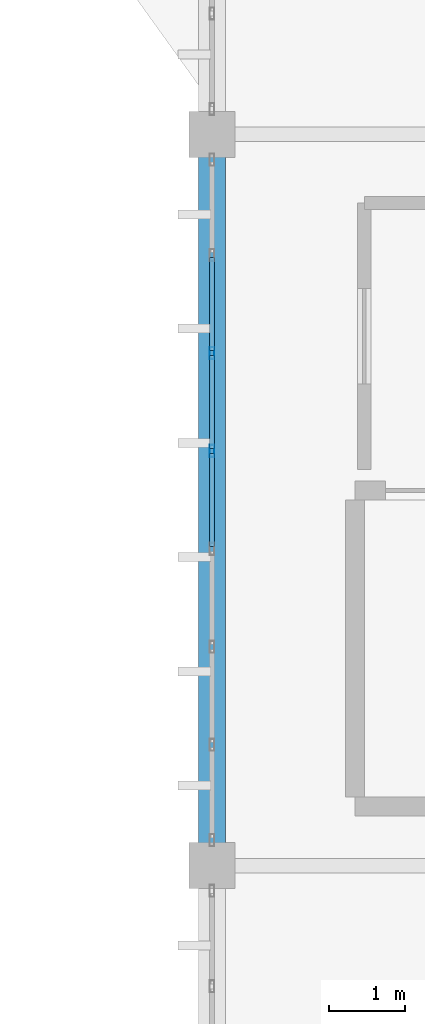
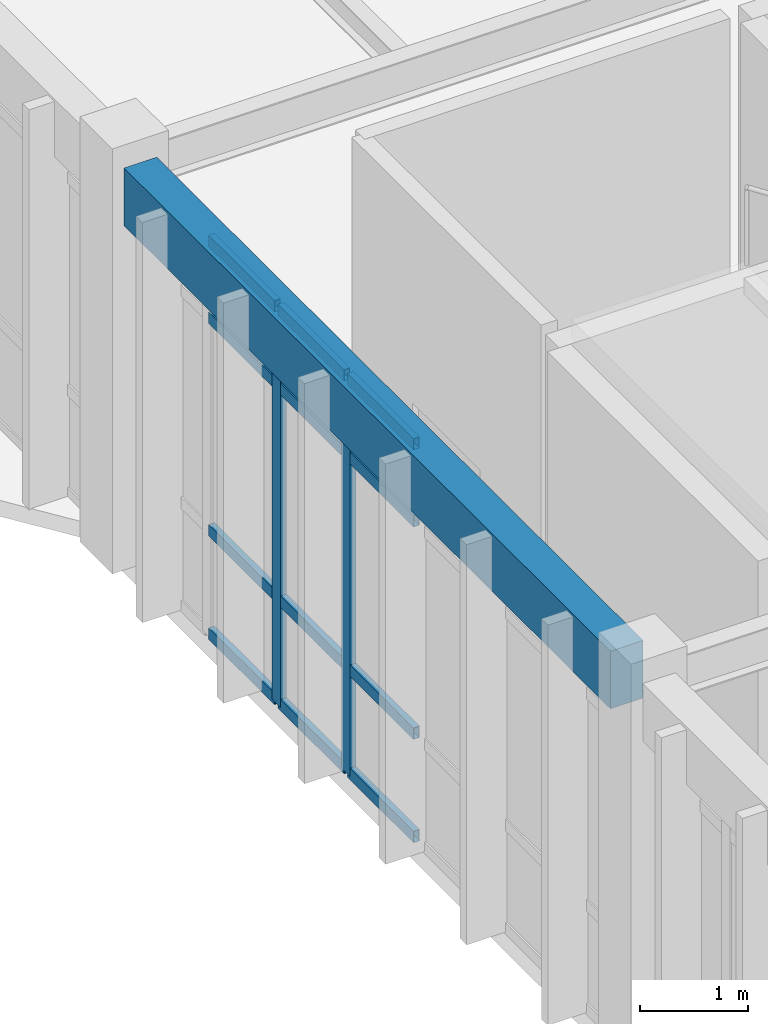
# One storey, part 144 of 236: 14 members, 1 beam, 1 element without a shape of its own.
"""IFC4 building model written with IfcOpenShell, lengths in metres."""

import ifcopenshell
import ifcopenshell.guid

model = None  # the IFC model being written
_history = None  # IfcOwnerHistory: only IFC2X3 demands one
_inside = {}  # id of a spatial element -> (the spatial element, [elements in it])
_under = {}  # id of a project, library or spatial element -> (it, [spatial elements below it])
_declared = {}  # id of a project -> (the project, [libraries it declares])
_typed = {}  # id of a type object -> (the type object, [elements of that type])
_made_of = {}  # id of a material, layer set ... -> (it, [elements and type objects made of it])


def new_model(schema):
    """Start an empty IFC model of exactly this schema.

    Asked for "IFC4X3", IfcOpenShell would pick the latest addendum, in which some entities
    have other attributes; the version numbers below select the first issue.
    IFC2X3 requires an IfcOwnerHistory on every rooted entity: one is made here for all.
    """
    global model, _history
    if schema == "IFC4X3":
        model = ifcopenshell.file(schema_version=(4, 3, 0, 0))
    else:
        model = ifcopenshell.file(schema=schema)
    _inside.clear()
    _under.clear()
    _declared.clear()
    _typed.clear()
    _made_of.clear()
    _history = None
    if model.schema == "IFC2X3":
        org = make("IfcOrganization", Name="unknown")
        user = make(
            "IfcPersonAndOrganization",
            ThePerson=make("IfcPerson", FamilyName="unknown"),
            TheOrganization=org,
        )
        app = make(
            "IfcApplication",
            ApplicationDeveloper=org,
            Version="unknown",
            ApplicationFullName="unknown",
            ApplicationIdentifier="unknown",
        )
        _history = make(
            "IfcOwnerHistory",
            OwningUser=user,
            OwningApplication=app,
            ChangeAction="ADDED",
            CreationDate=0,
        )
    return model


def make(cls, **values):
    """One entity of the class cls with the attributes given. An attribute that is None is left unset."""
    return model.create_entity(
        cls, **{name: value for name, value in values.items() if value is not None}
    )


def rooted(cls, **values):
    """An entity with a GlobalId (a new one), such as an element, a storey or a relation."""
    return make(cls, GlobalId=ifcopenshell.guid.new(), OwnerHistory=_history, **values)


def si_unit(unit_type, name, prefix=None):
    """IfcSIUnit, for example si_unit("LENGTHUNIT", "METRE", prefix="MILLI")."""
    return make("IfcSIUnit", UnitType=unit_type, Prefix=prefix, Name=name)


def assignment(units):
    """IfcUnitAssignment: the units of a project."""
    return None if units is None else make("IfcUnitAssignment", Units=units)


def point(xyz):
    """IfcCartesianPoint."""
    return None if xyz is None else make("IfcCartesianPoint", Coordinates=xyz)


def direction(xyz):
    """IfcDirection."""
    return None if xyz is None else make("IfcDirection", DirectionRatios=xyz)


def frame(location, z_axis=None, x_axis=None):
    """IfcAxis2Placement3D, a coordinate frame: its origin and axes. An axis left out is left unset."""
    return make(
        "IfcAxis2Placement3D",
        Location=point(location),
        Axis=direction(z_axis),
        RefDirection=direction(x_axis),
    )


def frame_2d(location, x_axis=None):
    """IfcAxis2Placement2D, a coordinate frame in the plane: its origin and x axis."""
    return make(
        "IfcAxis2Placement2D", Location=point(location), RefDirection=direction(x_axis)
    )


def origin():
    """The frame at (0, 0, 0) with its axes left unset."""
    return frame((0.0, 0.0, 0.0))


def origin_2d():
    """The frame at (0, 0) in the plane with its x axis left unset."""
    return frame_2d((0.0, 0.0))


def place(relative_to, where):
    """IfcLocalPlacement: puts the frame where relative to a parent placement (None: the world)."""
    return make(
        "IfcLocalPlacement", PlacementRelTo=relative_to, RelativePlacement=where
    )


def context(
    kind, dimensions, precision=None, world=None, true_north=None, identifier=None
):
    """IfcGeometricRepresentationContext, for example the 3D "Model" context."""
    return make(
        "IfcGeometricRepresentationContext",
        ContextIdentifier=identifier,
        ContextType=kind,
        CoordinateSpaceDimension=dimensions,
        Precision=precision,
        WorldCoordinateSystem=world,
        TrueNorth=true_north,
    )


def subcontext(parent, identifier, kind, view, scale=None):
    """IfcGeometricRepresentationSubContext, for example "Body" below "Model"."""
    return make(
        "IfcGeometricRepresentationSubContext",
        ContextIdentifier=identifier,
        ContextType=kind,
        ParentContext=parent,
        TargetScale=scale,
        TargetView=view,
    )


def project(units=None, contexts=None):
    """IfcProject with its units and contexts."""
    return rooted(
        "IfcProject",
        Name="project",
        RepresentationContexts=contexts,
        UnitsInContext=assignment(units),
    )


def spatial(cls, under=None, at=None, **own):
    """A site, building, storey or space (cls), placed at a placement, below another one or the project."""
    s = rooted(cls, ObjectPlacement=at, **own)
    if under is not None:
        _under.setdefault(under.id(), (under, []))[1].append(s)
    return s


def profile(cls, at=None, kind="AREA", **sizes):
    """A parametric profile (cls). Its sizes go by their IFC names, for example OverallWidth=200.0."""
    return make(cls, ProfileType=kind, Position=at, **sizes)


def rectangle(**sizes):
    """IfcRectangleProfileDef."""
    return profile("IfcRectangleProfileDef", **sizes)


def hollow_rectangle(**sizes):
    """IfcRectangleHollowProfileDef."""
    return profile("IfcRectangleHollowProfileDef", **sizes)


def extrude(swept, where, along, depth):
    """IfcExtrudedAreaSolid: the profile swept, set in the frame where, extruded along a direction by depth."""
    return make(
        "IfcExtrudedAreaSolid",
        SweptArea=swept,
        Position=where,
        ExtrudedDirection=direction(along),
        Depth=depth,
    )


def shape(context_of_items, identifier, shape_type, items):
    """IfcShapeRepresentation: the items that make up one representation, for example the "Body"."""
    return make(
        "IfcShapeRepresentation",
        ContextOfItems=context_of_items,
        RepresentationIdentifier=identifier,
        RepresentationType=shape_type,
        Items=items,
    )


def material(Name=None, Category=None):
    """IfcMaterial."""
    return make("IfcMaterial", Name=Name, Category=Category)


def layer(
    of_material, thickness, ventilated=None, Name=None, Category=None, Priority=None
):
    """IfcMaterialLayer: one layer of a wall or slab, of a material (None: an air gap)."""
    return make(
        "IfcMaterialLayer",
        Material=of_material,
        LayerThickness=thickness,
        IsVentilated=ventilated,
        Name=Name,
        Category=Category,
        Priority=Priority,
    )


def layer_set(layers, Name=None):
    """IfcMaterialLayerSet."""
    return make("IfcMaterialLayerSet", MaterialLayers=layers, LayerSetName=Name)


def material_profile(
    of_material, cross_section, Name=None, Category=None, Priority=None
):
    """IfcMaterialProfile: a cross section and its material."""
    return make(
        "IfcMaterialProfile",
        Name=Name,
        Material=of_material,
        Profile=cross_section,
        Priority=Priority,
        Category=Category,
    )


def profile_set(profiles, Name=None, composite=None):
    """IfcMaterialProfileSet."""
    return make(
        "IfcMaterialProfileSet",
        Name=Name,
        MaterialProfiles=profiles,
        CompositeProfile=composite,
    )


def made_of(thing, what):
    """Note that an element or type object is made of a material, layer set ...; save() writes the relation."""
    if what is not None:
        _made_of.setdefault(what.id(), (what, []))[1].append(thing)
    return thing


def type_object(cls, material=None, **own):
    """A type object (cls), such as IfcWallType, which elements share."""
    return made_of(rooted(cls, **own), material)


def element(
    cls,
    number,
    at=None,
    inside=None,
    cuts=None,
    type_object=None,
    material=None,
    context=None,
    identifier="Body",
    shape_type=None,
    held_by="IfcProductDefinitionShape",
    body=None,
    shapes=None,
    **own,
):
    """One element of the class cls, such as IfcWall. Its Tag is "e" and its number.

    at: its placement. inside: the storey or other place that contains it. cuts: it is an
    opening in that element (IfcRelVoidsElement). A single representation is given by context,
    identifier, shape_type and body (its items); several are given by shapes. held_by: the class
    of the entity that holds the representations. save() writes the other relations.
    """
    e = rooted(cls, Tag="e%d" % number, ObjectPlacement=at, **own)
    if body is not None:
        shapes = [shape(context, identifier, shape_type, body)]
    if shapes is not None:
        e.Representation = make(held_by, Representations=shapes)
    if inside is not None:
        _inside.setdefault(inside.id(), (inside, []))[1].append(e)
    if cuts is not None:
        rooted(
            "IfcRelVoidsElement", RelatingBuildingElement=cuts, RelatedOpeningElement=e
        )
    if type_object is not None:
        _typed.setdefault(type_object.id(), (type_object, []))[1].append(e)
    return made_of(e, material)


def aggregate(whole, parts):
    """IfcRelAggregates: a whole, such as a stair, and the parts it consists of."""
    return rooted("IfcRelAggregates", RelatingObject=whole, RelatedObjects=parts)


def save(model, path):
    """Write the relations noted so far, then the file.

    IfcRelAggregates (storeys below a building ...), IfcRelContainedInSpatialStructure (elements
    in a storey), IfcRelDefinesByType, IfcRelAssociatesMaterial and IfcRelDeclares: one each for
    every whole, place, type object, material and project.
    """
    for whole, parts in _under.values():
        aggregate(whole, parts)
    for where, things in _inside.values():
        rooted(
            "IfcRelContainedInSpatialStructure",
            RelatedElements=things,
            RelatingStructure=where,
        )
    for kind, things in _typed.values():
        rooted("IfcRelDefinesByType", RelatedObjects=things, RelatingType=kind)
    for what, things in _made_of.values():
        rooted("IfcRelAssociatesMaterial", RelatedObjects=things, RelatingMaterial=what)
    for by, libraries in _declared.values():
        rooted("IfcRelDeclares", RelatingContext=by, RelatedDefinitions=libraries)
    model.write(path)


model = new_model("IFC4")

# Units and contexts
model_context = context("Model", 3, precision=1e-05, world=origin(), true_north=direction((0.0, 1.0)))
body_context = subcontext(model_context, "Body", "Model", "MODEL_VIEW")
ifc_project = project(units=[si_unit("LENGTHUNIT", "METRE"), si_unit("AREAUNIT", "SQUARE_METRE"), si_unit("VOLUMEUNIT", "CUBIC_METRE"), si_unit("PLANEANGLEUNIT", "RADIAN"), si_unit("MASSUNIT", "GRAM", prefix="KILO")], contexts=[model_context])

# Site, building, storey
site_placement = place(None, origin())
site = spatial("IfcSite", under=ifc_project, at=site_placement, CompositionType="ELEMENT")
building_placement = place(site_placement, origin())
building = spatial("IfcBuilding", under=site, at=building_placement, Name="Pandanus Reach Market Hall", CompositionType="ELEMENT")
storey_placement = place(building_placement, frame((0.0, 0.0, 5.39990234375)))
storey = spatial("IfcBuildingStorey", under=building, at=storey_placement, Name="L01", CompositionType="ELEMENT", Elevation=5.39990234375)

# Beam
ifc_material_1 = material(Name="Concrete N40 (40 MPa)", Category="concrete")
ifc_material_profile_1 = material_profile(ifc_material_1, rectangle(XDim=0.35009765625, YDim=0.64990234375, at=origin_2d()), Name="RC350x650", Category="LoadBearing")
ifc_profile_set_1 = profile_set([ifc_material_profile_1], Name="Concrete N40 (40 MPa)")
beam_type = type_object("IfcBeamType", Name="BM-RC350-E", PredefinedType="SPANDREL", material=ifc_profile_set_1)
beam_placement = place(storey_placement, frame((144.0, 48.298095703125, 4.215087890625), z_axis=(0.0, 1.0, 0.0), x_axis=(-1.0, 0.0, 0.0)))
element("IfcBeam", 1, at=beam_placement, inside=storey, type_object=beam_type, Name="Framing beam BM-RC350-E L01.340", PredefinedType="SPANDREL", context=body_context, shape_type="SweptSolid", body=[
    extrude(rectangle(XDim=0.35009765625, YDim=0.64990234375, at=origin_2d()), origin(), (0.0, 0.0, 1.0), 9.00390625),
])

# Curtain wall, members
ifc_material_2 = material(Name="Bronze anodised aluminium and low-E glass", Category="aluminium")
ifc_layer = layer(ifc_material_2, 0.159912109375, Name="CW-29")
ifc_layer_set = layer_set([ifc_layer], Name="Bronze anodised aluminium and low-E glass")
curtain_wall_type = type_object("IfcCurtainWallType", Name="CW-29", PredefinedType="NOTDEFINED", material=ifc_layer_set)
curtain_wall_placement = place(storey_placement, origin())
curtain_wall = element("IfcCurtainWall", 2, at=curtain_wall_placement, inside=storey, type_object=curtain_wall_type, Name="Glazed curtain wall CW-29 CW-0095", PredefinedType="NOTDEFINED")
ifc_material_3 = material(Name="Bronze anodised aluminium", Category="aluminium")
ifc_material_profile_2 = material_profile(ifc_material_3, hollow_rectangle(XDim=0.06494140625, YDim=0.159912109375, WallThickness=0.00390625, at=origin_2d()), Name="ALU65x160", Category="LoadBearing")
ifc_profile_set_2 = profile_set([ifc_material_profile_2], Name="Bronze anodised aluminium")
member_type_1 = type_object("IfcMemberType", Name="CW-M1", PredefinedType="MULLION", material=ifc_profile_set_2)
member_1_placement = place(storey_placement, frame((144.0, 53.44287109375, 0.0), z_axis=(0.0, 0.0, 1.0), x_axis=(-1.0, 0.0, 0.0)))
member_1 = element("IfcMember", 3, at=member_1_placement, type_object=member_type_1, Name="CW-29 mullion 5", PredefinedType="MULLION", context=body_context, shape_type="SweptSolid", body=[
    extrude(hollow_rectangle(XDim=0.06494140625, YDim=0.159912109375, WallThickness=0.00390625, at=origin_2d()), origin(), (0.0, 0.0, 1.0), 4.5),
])
member_2_placement = place(storey_placement, frame((144.0, 54.728515625, 0.0), z_axis=(0.0, 0.0, 1.0), x_axis=(-1.0, 0.0, 0.0)))
member_2 = element("IfcMember", 4, at=member_2_placement, type_object=member_type_1, Name="CW-29 mullion 6", PredefinedType="MULLION", context=body_context, shape_type="SweptSolid", body=[
    extrude(hollow_rectangle(XDim=0.06494140625, YDim=0.159912109375, WallThickness=0.00390625, at=origin_2d()), origin(), (0.0, 0.0, 1.0), 4.5),
])
ifc_material_profile_3 = material_profile(ifc_material_3, hollow_rectangle(XDim=0.06494140625, YDim=0.1298828125, WallThickness=0.00390625, at=origin_2d()), Name="ALU65x130", Category="LoadBearing")
ifc_profile_set_3 = profile_set([ifc_material_profile_3], Name="Bronze anodised aluminium")
member_type_2 = type_object("IfcMemberType", Name="CW-T1", PredefinedType="USERDEFINED", material=ifc_profile_set_3)
member_3_placement = place(storey_placement, frame((144.0, 52.189697265625, 0.03271484375), z_axis=(0.0, 1.0, 0.0), x_axis=(-1.0, 0.0, 0.0)))
member_3 = element("IfcMember", 5, at=member_3_placement, type_object=member_type_2, Name="CW-29 transom 4.1", ObjectType="TRANSOM", PredefinedType="USERDEFINED", context=body_context, shape_type="SweptSolid", body=[
    extrude(hollow_rectangle(XDim=0.06494140625, YDim=0.1298828125, WallThickness=0.00390625, at=origin_2d()), origin(), (0.0, 0.0, 1.0), 1.220703125),
])
member_4_placement = place(storey_placement, frame((144.0, 52.189697265625, 1.2001953125), z_axis=(0.0, 1.0, 0.0), x_axis=(-1.0, 0.0, 0.0)))
member_4 = element("IfcMember", 6, at=member_4_placement, type_object=member_type_2, Name="CW-29 transom 4.2", ObjectType="TRANSOM", PredefinedType="USERDEFINED", context=body_context, shape_type="SweptSolid", body=[
    extrude(hollow_rectangle(XDim=0.06494140625, YDim=0.1298828125, WallThickness=0.00390625, at=origin_2d()), origin(), (0.0, 0.0, 1.0), 1.220703125),
])
member_5_placement = place(storey_placement, frame((144.0, 52.189697265625, 3.60009765625), z_axis=(0.0, 1.0, 0.0), x_axis=(-1.0, 0.0, 0.0)))
member_5 = element("IfcMember", 7, at=member_5_placement, type_object=member_type_2, Name="CW-29 transom 4.3", ObjectType="TRANSOM", PredefinedType="USERDEFINED", context=body_context, shape_type="SweptSolid", body=[
    extrude(hollow_rectangle(XDim=0.06494140625, YDim=0.1298828125, WallThickness=0.00390625, at=origin_2d()), origin(), (0.0, 0.0, 1.0), 1.220703125),
])
member_6_placement = place(storey_placement, frame((144.0, 52.189697265625, 4.467529296875), z_axis=(0.0, 1.0, 0.0), x_axis=(-1.0, 0.0, 0.0)))
member_6 = element("IfcMember", 8, at=member_6_placement, type_object=member_type_2, Name="CW-29 transom 4.4", ObjectType="TRANSOM", PredefinedType="USERDEFINED", context=body_context, shape_type="SweptSolid", body=[
    extrude(hollow_rectangle(XDim=0.06494140625, YDim=0.1298828125, WallThickness=0.00390625, at=origin_2d()), origin(), (0.0, 0.0, 1.0), 1.220703125),
])
member_7_placement = place(storey_placement, frame((144.0, 53.475341796875, 0.03271484375), z_axis=(0.0, 1.0, 0.0), x_axis=(-1.0, 0.0, 0.0)))
member_7 = element("IfcMember", 9, at=member_7_placement, type_object=member_type_2, Name="CW-29 transom 5.1", ObjectType="TRANSOM", PredefinedType="USERDEFINED", context=body_context, shape_type="SweptSolid", body=[
    extrude(hollow_rectangle(XDim=0.06494140625, YDim=0.1298828125, WallThickness=0.00390625, at=origin_2d()), origin(), (0.0, 0.0, 1.0), 1.220703125),
])
member_8_placement = place(storey_placement, frame((144.0, 53.475341796875, 1.2001953125), z_axis=(0.0, 1.0, 0.0), x_axis=(-1.0, 0.0, 0.0)))
member_8 = element("IfcMember", 10, at=member_8_placement, type_object=member_type_2, Name="CW-29 transom 5.2", ObjectType="TRANSOM", PredefinedType="USERDEFINED", context=body_context, shape_type="SweptSolid", body=[
    extrude(hollow_rectangle(XDim=0.06494140625, YDim=0.1298828125, WallThickness=0.00390625, at=origin_2d()), origin(), (0.0, 0.0, 1.0), 1.220703125),
])
member_9_placement = place(storey_placement, frame((144.0, 53.475341796875, 3.60009765625), z_axis=(0.0, 1.0, 0.0), x_axis=(-1.0, 0.0, 0.0)))
member_9 = element("IfcMember", 11, at=member_9_placement, type_object=member_type_2, Name="CW-29 transom 5.3", ObjectType="TRANSOM", PredefinedType="USERDEFINED", context=body_context, shape_type="SweptSolid", body=[
    extrude(hollow_rectangle(XDim=0.06494140625, YDim=0.1298828125, WallThickness=0.00390625, at=origin_2d()), origin(), (0.0, 0.0, 1.0), 1.220703125),
])
member_10_placement = place(storey_placement, frame((144.0, 53.475341796875, 4.467529296875), z_axis=(0.0, 1.0, 0.0), x_axis=(-1.0, 0.0, 0.0)))
member_10 = element("IfcMember", 12, at=member_10_placement, type_object=member_type_2, Name="CW-29 transom 5.4", ObjectType="TRANSOM", PredefinedType="USERDEFINED", context=body_context, shape_type="SweptSolid", body=[
    extrude(hollow_rectangle(XDim=0.06494140625, YDim=0.1298828125, WallThickness=0.00390625, at=origin_2d()), origin(), (0.0, 0.0, 1.0), 1.220703125),
])
member_11_placement = place(storey_placement, frame((144.0, 54.760986328125, 0.03271484375), z_axis=(0.0, 1.0, 0.0), x_axis=(-1.0, 0.0, 0.0)))
member_11 = element("IfcMember", 13, at=member_11_placement, type_object=member_type_2, Name="CW-29 transom 6.1", ObjectType="TRANSOM", PredefinedType="USERDEFINED", context=body_context, shape_type="SweptSolid", body=[
    extrude(hollow_rectangle(XDim=0.06494140625, YDim=0.1298828125, WallThickness=0.00390625, at=origin_2d()), origin(), (0.0, 0.0, 1.0), 1.220703125),
])
member_12_placement = place(storey_placement, frame((144.0, 54.760986328125, 1.2001953125), z_axis=(0.0, 1.0, 0.0), x_axis=(-1.0, 0.0, 0.0)))
member_12 = element("IfcMember", 14, at=member_12_placement, type_object=member_type_2, Name="CW-29 transom 6.2", ObjectType="TRANSOM", PredefinedType="USERDEFINED", context=body_context, shape_type="SweptSolid", body=[
    extrude(hollow_rectangle(XDim=0.06494140625, YDim=0.1298828125, WallThickness=0.00390625, at=origin_2d()), origin(), (0.0, 0.0, 1.0), 1.220703125),
])
member_13_placement = place(storey_placement, frame((144.0, 54.760986328125, 3.60009765625), z_axis=(0.0, 1.0, 0.0), x_axis=(-1.0, 0.0, 0.0)))
member_13 = element("IfcMember", 15, at=member_13_placement, type_object=member_type_2, Name="CW-29 transom 6.3", ObjectType="TRANSOM", PredefinedType="USERDEFINED", context=body_context, shape_type="SweptSolid", body=[
    extrude(hollow_rectangle(XDim=0.06494140625, YDim=0.1298828125, WallThickness=0.00390625, at=origin_2d()), origin(), (0.0, 0.0, 1.0), 1.220703125),
])
member_14_placement = place(storey_placement, frame((144.0, 54.760986328125, 4.467529296875), z_axis=(0.0, 1.0, 0.0), x_axis=(-1.0, 0.0, 0.0)))
member_14 = element("IfcMember", 16, at=member_14_placement, type_object=member_type_2, Name="CW-29 transom 6.4", ObjectType="TRANSOM", PredefinedType="USERDEFINED", context=body_context, shape_type="SweptSolid", body=[
    extrude(hollow_rectangle(XDim=0.06494140625, YDim=0.1298828125, WallThickness=0.00390625, at=origin_2d()), origin(), (0.0, 0.0, 1.0), 1.220703125),
])
aggregate(curtain_wall, [member_1, member_2, member_3, member_4, member_5, member_6, member_7, member_8, member_9, member_10, member_11, member_12, member_13, member_14])

save(model, "model.ifc")
